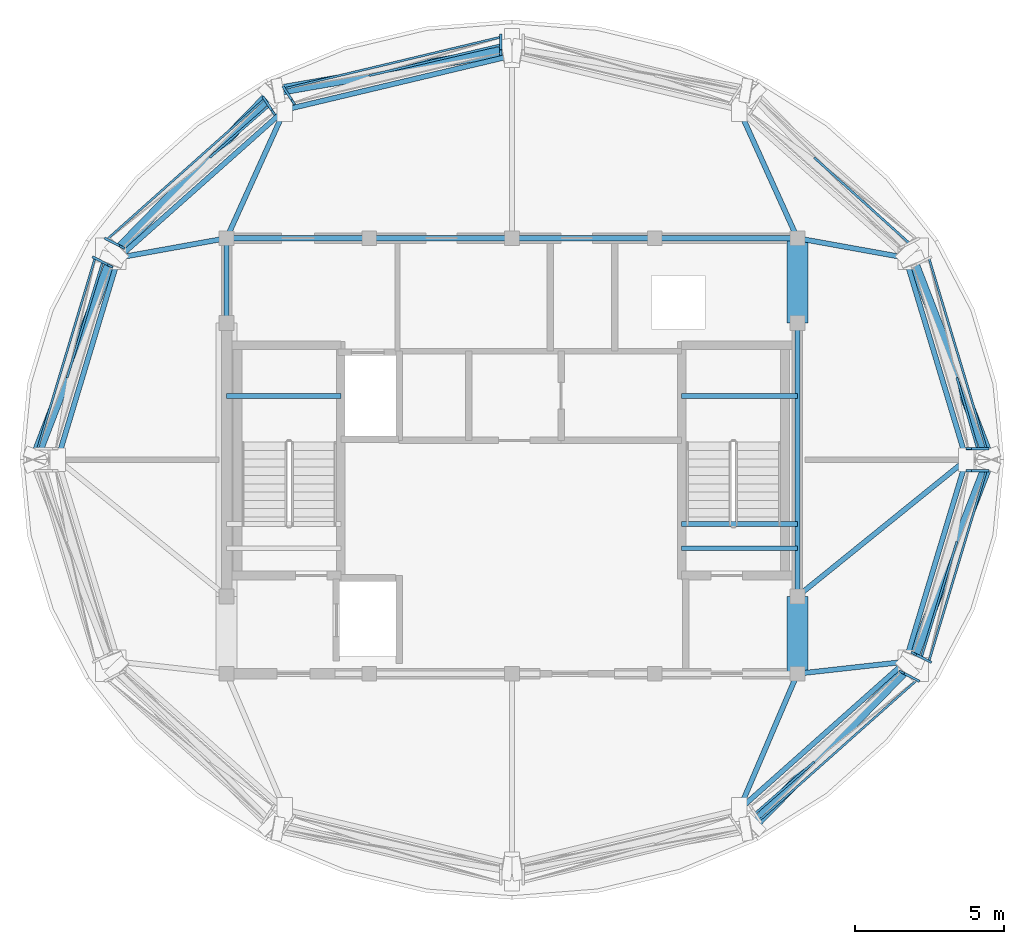
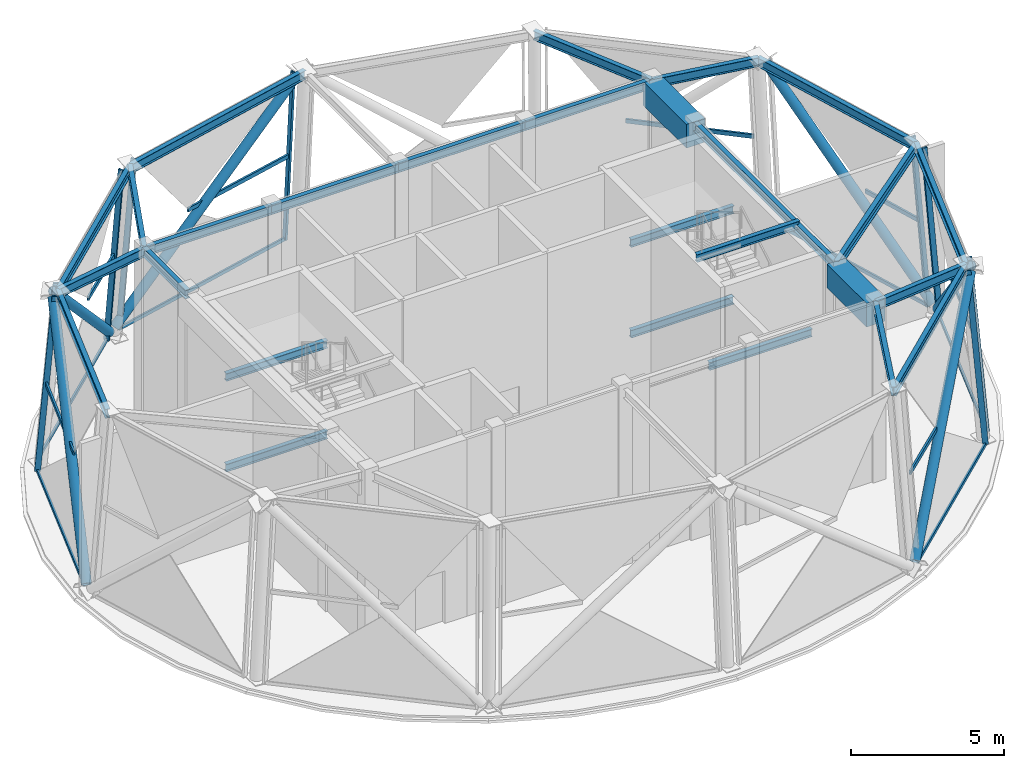
# One storey, part 2 of 9: 28 members, 27 beams, 7 elements without a shape of their own.
"""IFC4 building model written with IfcOpenShell, lengths in metres."""

from ifc_helpers import new_model, si_unit, direction, frame, origin, origin_2d, place, context, subcontext, project, spatial, rectangle, hollow_rectangle, hollow_circle, i_section, extrude, material, layer, layer_set, material_profile, profile_set, type_object, element, aggregate, save


model = new_model("IFC4")

# Units and contexts
model_context = context("Model", 3, precision=1e-05, world=origin(), true_north=direction((0.0, 1.0)))
body_context = subcontext(model_context, "Body", "Model", "MODEL_VIEW")
ifc_project = project(units=[si_unit("LENGTHUNIT", "METRE"), si_unit("AREAUNIT", "SQUARE_METRE"), si_unit("VOLUMEUNIT", "CUBIC_METRE"), si_unit("PLANEANGLEUNIT", "RADIAN"), si_unit("MASSUNIT", "GRAM", prefix="KILO")], contexts=[model_context])

# Site, building, storey
site_placement = place(None, origin())
site = spatial("IfcSite", under=ifc_project, at=site_placement, CompositionType="ELEMENT")
building_placement = place(site_placement, origin())
building = spatial("IfcBuilding", under=site, at=building_placement, Name="Vantalir Tower", CompositionType="ELEMENT")
storey_placement = place(building_placement, frame((0.0, 0.0, 319.0)))
storey = spatial("IfcBuildingStorey", under=building, at=storey_placement, Name="L78", CompositionType="ELEMENT", Elevation=319.0)

# Beams
ifc_material_1 = material(Name="Concrete C60/75", Category="concrete")
ifc_material_profile_1 = material_profile(ifc_material_1, rectangle(XDim=0.699951171875, YDim=0.949951171875, at=origin_2d()), Name="Concrete C60/75")
ifc_profile_set_1 = profile_set([ifc_material_profile_1], Name="Concrete C60/75")
beam_type_1 = type_object("IfcBeamType", Name="BM-CB-700x950", PredefinedType="USERDEFINED", material=ifc_profile_set_1)
beam_1_placement = place(storey_placement, frame((41.10009765625, 17.800048828125, 6.594970703125), z_axis=(0.0, 1.0, 0.0), x_axis=(-1.0, 0.0, 0.0)))
element("IfcBeam", 1, at=beam_1_placement, inside=storey, type_object=beam_type_1, Name="L78 Core Coupling Girder 05", ObjectType="GIRDER", PredefinedType="USERDEFINED", context=body_context, shape_type="SweptSolid", body=[
    extrude(rectangle(XDim=0.699951171875, YDim=0.949951171875, at=origin_2d()), origin(), (0.0, 0.0, 1.0), 2.599853515625),
])
beam_2_placement = place(storey_placement, frame((41.10009765625, 29.60009765625, 6.594970703125), z_axis=(0.0, 1.0, 0.0), x_axis=(-1.0, 0.0, 0.0)))
element("IfcBeam", 2, at=beam_2_placement, inside=storey, type_object=beam_type_1, Name="L78 Core Coupling Girder 07", ObjectType="GIRDER", PredefinedType="USERDEFINED", context=body_context, shape_type="SweptSolid", body=[
    extrude(rectangle(XDim=0.699951171875, YDim=0.949951171875, at=origin_2d()), origin(), (0.0, 0.0, 1.0), 2.849853515625),
])
ifc_material_2 = material(Name="Steel S355", Category="steel")
ifc_material_profile_2 = material_profile(ifc_material_2, i_section(OverallWidth=0.166015625, OverallDepth=0.306884765625, WebThickness=0.006591796875, FlangeThickness=0.01171875, at=origin_2d()), Name="Steel S355")
ifc_profile_set_2 = profile_set([ifc_material_profile_2], Name="Steel S355")
beam_type_2 = type_object("IfcBeamType", Name="BM-JS-305x165", PredefinedType="JOIST", material=ifc_profile_set_2)
for number, where, z_axis, x_axis, name in (
    (3, (21.89990234375, 27.14501953125, 1.458984375), (1.0, 0.0, 0.0), (0.0, 1.0, 0.0), "L78 Stair ST1 Half-Landing Support Beam"),
    (4, (21.89990234375, 27.14501953125, 5.083984375), (1.0, 0.0, 0.0), (0.0, 1.0, 0.0), "L78 Stair ST1 Half-Landing Support Beam"),
):
    element("IfcBeam", number, at=place(storey_placement, frame(where, z_axis=z_axis, x_axis=x_axis)), inside=storey, type_object=beam_type_2, Name=name, PredefinedType="JOIST", context=body_context, shape_type="SweptSolid", body=[
        extrude(i_section(OverallWidth=0.166015625, OverallDepth=0.306884765625, WebThickness=0.006591796875, FlangeThickness=0.01171875, at=origin_2d()), origin(), (0.0, 0.0, 1.0), 3.840087890625),
    ])
for number, where, z_axis, x_axis, name in (
    (5, (37.2099609375, 22.8349609375, 7.095947265625), (1.0, 0.0, 0.0), (0.0, 1.0, 0.0), "L79 Stair ST2 Well Nosing Trimmer Beam"),
    (6, (37.2099609375, 27.14501953125, 1.458984375), (1.0, 0.0, 0.0), (0.0, 1.0, 0.0), "L78 Stair ST2 Half-Landing Support Beam"),
    (7, (37.2099609375, 22.02001953125, 3.27197265625), (1.0, 0.0, 0.0), (0.0, 1.0, 0.0), "L78 Stair ST2 Half-Landing Support Beam"),
    (8, (37.2099609375, 27.14501953125, 5.083984375), (1.0, 0.0, 0.0), (0.0, 1.0, 0.0), "L78 Stair ST2 Half-Landing Support Beam"),
):
    element("IfcBeam", number, at=place(storey_placement, frame(where, z_axis=z_axis, x_axis=x_axis)), inside=storey, type_object=beam_type_2, Name=name, PredefinedType="JOIST", context=body_context, shape_type="SweptSolid", body=[
        extrude(i_section(OverallWidth=0.166015625, OverallDepth=0.306884765625, WebThickness=0.006591796875, FlangeThickness=0.01171875, at=origin_2d()), origin(), (0.0, 0.0, 1.0), 3.89013671875),
    ])
ifc_material_3 = material(Name="Steel S460", Category="steel")
ifc_material_profile_3 = material_profile(ifc_material_3, i_section(OverallWidth=0.172119140625, OverallDepth=0.35791015625, WebThickness=0.008056640625, FlangeThickness=0.012939453125, at=origin_2d()), Name="Steel S460")
ifc_profile_set_3 = profile_set([ifc_material_profile_3], Name="Steel S460")
beam_type_3 = type_object("IfcBeamType", Name="BM-RB-356x171", PredefinedType="BEAM", material=ifc_profile_set_3)
beam_3_placement = place(storey_placement, frame((41.10009765625, 20.39990234375, 6.89111328125), z_axis=(0.0, 1.0, 0.0), x_axis=(-1.0, 0.0, 0.0)))
element("IfcBeam", 9, at=beam_3_placement, inside=storey, type_object=beam_type_3, Name="L78 Core Coupling Girder 06", PredefinedType="BEAM", context=body_context, shape_type="SweptSolid", body=[
    extrude(i_section(OverallWidth=0.172119140625, OverallDepth=0.35791015625, WebThickness=0.008056640625, FlangeThickness=0.012939453125, at=origin_2d()), origin(), (0.0, 0.0, 1.0), 9.2001953125),
])
for number, where, z_axis, x_axis, name in (
    (10, (41.10009765625, 32.449951171875, 6.89111328125), (-1.0, 0.0, 0.0), (0.0, -1.0, 0.0), "L78 Core Coupling Girder 08"),
    (11, (36.300048828125, 32.449951171875, 6.89111328125), (-1.0, 0.0, 0.0), (0.0, -1.0, 0.0), "L78 Core Coupling Girder 09"),
    (12, (31.5, 32.449951171875, 6.89111328125), (-1.0, 0.0, 0.0), (0.0, -1.0, 0.0), "L78 Core Coupling Girder 10"),
    (13, (26.699951171875, 32.449951171875, 6.89111328125), (-1.0, 0.0, 0.0), (0.0, -1.0, 0.0), "L78 Core Coupling Girder 11"),
):
    element("IfcBeam", number, at=place(storey_placement, frame(where, z_axis=z_axis, x_axis=x_axis)), inside=storey, type_object=beam_type_3, Name=name, PredefinedType="BEAM", context=body_context, shape_type="SweptSolid", body=[
        extrude(i_section(OverallWidth=0.172119140625, OverallDepth=0.35791015625, WebThickness=0.008056640625, FlangeThickness=0.012939453125, at=origin_2d()), origin(), (0.0, 0.0, 1.0), 4.800048828125),
    ])
beam_4_placement = place(storey_placement, frame((21.89990234375, 32.449951171875, 6.89111328125), z_axis=(0.0, -1.0, 0.0), x_axis=(1.0, 0.0, 0.0)))
element("IfcBeam", 14, at=beam_4_placement, inside=storey, type_object=beam_type_3, Name="L78 Core Coupling Girder 12", PredefinedType="BEAM", context=body_context, shape_type="SweptSolid", body=[
    extrude(i_section(OverallWidth=0.172119140625, OverallDepth=0.35791015625, WebThickness=0.008056640625, FlangeThickness=0.012939453125, at=origin_2d()), origin(), (0.0, 0.0, 1.0), 2.849853515625),
])
beam_5_placement = place(storey_placement, frame((46.7880859375, 25.0, 6.89111328125), z_axis=(-0.288591134035, 0.957452430858, 0.0), x_axis=(-0.957452430858, -0.288591134035, 0.0)))
element("IfcBeam", 15, at=beam_5_placement, inside=storey, type_object=beam_type_3, Name="L78 Circumferential Ring Girder 01", PredefinedType="BEAM", context=body_context, shape_type="SweptSolid", body=[
    extrude(i_section(OverallWidth=0.172119140625, OverallDepth=0.35791015625, WebThickness=0.008056640625, FlangeThickness=0.012939453125, at=origin_2d()), origin(), (0.0, 0.0, 1.0), 7.096923828125),
])
beam_6_placement = place(storey_placement, frame((46.7880859375, 25.0, 6.89111328125), z_axis=(-0.777543227504, -0.628829491486, 0.0), x_axis=(0.628829491486, -0.777543227504, 0.0)))
element("IfcBeam", 16, at=beam_6_placement, inside=storey, type_object=beam_type_3, Name="L78 Radial Floor Beam 01", PredefinedType="BEAM", context=body_context, shape_type="SweptSolid", body=[
    extrude(i_section(OverallWidth=0.172119140625, OverallDepth=0.35791015625, WebThickness=0.008056640625, FlangeThickness=0.012939453125, at=origin_2d()), origin(), (0.0, 0.0, 1.0), 7.3154296875),
])
beam_7_placement = place(storey_placement, frame((44.739990234375, 31.794921875, 6.89111328125), z_axis=(-0.984190459044, 0.177113354458, 0.0), x_axis=(-0.177113354458, -0.984190459044, 0.0)))
element("IfcBeam", 17, at=beam_7_placement, inside=storey, type_object=beam_type_3, Name="L78 Radial Floor Beam 02", PredefinedType="BEAM", context=body_context, shape_type="SweptSolid", body=[
    extrude(i_section(OverallWidth=0.172119140625, OverallDepth=0.35791015625, WebThickness=0.008056640625, FlangeThickness=0.012939453125, at=origin_2d()), origin(), (0.0, 0.0, 1.0), 3.6982421875),
])
beam_8_placement = place(storey_placement, frame((39.14404296875, 36.77001953125, 6.89111328125), z_axis=(0.412472086074, -0.910970240024, 0.0), x_axis=(0.910970240024, 0.412472086074, 0.0)))
element("IfcBeam", 18, at=beam_8_placement, inside=storey, type_object=beam_type_3, Name="L78 Radial Floor Beam 03", PredefinedType="BEAM", context=body_context, shape_type="SweptSolid", body=[
    extrude(i_section(OverallWidth=0.172119140625, OverallDepth=0.35791015625, WebThickness=0.008056640625, FlangeThickness=0.012939453125, at=origin_2d()), origin(), (0.0, 0.0, 1.0), 4.7421875),
])
beam_9_placement = place(storey_placement, frame((31.5, 38.591064453125, 6.89111328125), z_axis=(-0.972776537622, -0.231745135552, 0.0), x_axis=(0.231745135552, -0.972776537622, 0.0)))
element("IfcBeam", 19, at=beam_9_placement, inside=storey, type_object=beam_type_3, Name="L78 Circumferential Ring Girder 04", PredefinedType="BEAM", context=body_context, shape_type="SweptSolid", body=[
    extrude(i_section(OverallWidth=0.172119140625, OverallDepth=0.35791015625, WebThickness=0.008056640625, FlangeThickness=0.012939453125, at=origin_2d()), origin(), (0.0, 0.0, 1.0), 7.85791015625),
])
beam_10_placement = place(storey_placement, frame((23.85595703125, 36.77001953125, 6.89111328125), z_axis=(-0.747348152301, -0.664432644631, 0.0), x_axis=(0.664432644631, -0.747348152301, 0.0)))
element("IfcBeam", 20, at=beam_10_placement, inside=storey, type_object=beam_type_3, Name="L78 Circumferential Ring Girder 05", PredefinedType="BEAM", context=body_context, shape_type="SweptSolid", body=[
    extrude(i_section(OverallWidth=0.172119140625, OverallDepth=0.35791015625, WebThickness=0.008056640625, FlangeThickness=0.012939453125, at=origin_2d()), origin(), (0.0, 0.0, 1.0), 7.48779296875),
])
beam_11_placement = place(storey_placement, frame((23.85595703125, 36.77001953125, 6.89111328125), z_axis=(-0.412472086074, -0.910970240024, 0.0), x_axis=(0.910970240024, -0.412472086074, 0.0)))
element("IfcBeam", 21, at=beam_11_placement, inside=storey, type_object=beam_type_3, Name="L78 Radial Floor Beam 05", PredefinedType="BEAM", context=body_context, shape_type="SweptSolid", body=[
    extrude(i_section(OverallWidth=0.172119140625, OverallDepth=0.35791015625, WebThickness=0.008056640625, FlangeThickness=0.012939453125, at=origin_2d()), origin(), (0.0, 0.0, 1.0), 4.7421875),
])
beam_12_placement = place(storey_placement, frame((18.260009765625, 31.794921875, 6.89111328125), z_axis=(-0.288591134035, -0.957452430858, 0.0), x_axis=(0.957452430858, -0.288591134035, 0.0)))
element("IfcBeam", 22, at=beam_12_placement, inside=storey, type_object=beam_type_3, Name="L78 Circumferential Ring Girder 06", PredefinedType="BEAM", context=body_context, shape_type="SweptSolid", body=[
    extrude(i_section(OverallWidth=0.172119140625, OverallDepth=0.35791015625, WebThickness=0.008056640625, FlangeThickness=0.012939453125, at=origin_2d()), origin(), (0.0, 0.0, 1.0), 7.096923828125),
])
beam_13_placement = place(storey_placement, frame((18.260009765625, 31.794921875, 6.89111328125), z_axis=(0.984190459044, 0.177113354458, 0.0), x_axis=(-0.177113354458, 0.984190459044, 0.0)))
element("IfcBeam", 23, at=beam_13_placement, inside=storey, type_object=beam_type_3, Name="L78 Radial Floor Beam 06", PredefinedType="BEAM", context=body_context, shape_type="SweptSolid", body=[
    extrude(i_section(OverallWidth=0.172119140625, OverallDepth=0.35791015625, WebThickness=0.008056640625, FlangeThickness=0.012939453125, at=origin_2d()), origin(), (0.0, 0.0, 1.0), 3.6982421875),
])
beam_14_placement = place(storey_placement, frame((39.14404296875, 13.22998046875, 6.89111328125), z_axis=(0.747412916821, 0.664359790904, 0.0), x_axis=(-0.664359790904, 0.747412916821, 0.0)))
element("IfcBeam", 24, at=beam_14_placement, inside=storey, type_object=beam_type_3, Name="L78 Circumferential Ring Girder 11", PredefinedType="BEAM", context=body_context, shape_type="SweptSolid", body=[
    extrude(i_section(OverallWidth=0.172119140625, OverallDepth=0.35791015625, WebThickness=0.008056640625, FlangeThickness=0.012939453125, at=origin_2d()), origin(), (0.0, 0.0, 1.0), 7.487060546875),
])
beam_15_placement = place(storey_placement, frame((39.14404296875, 13.22998046875, 6.89111328125), z_axis=(0.393486559938, 0.919330368882, 0.0), x_axis=(-0.919330368882, 0.393486559938, 0.0)))
element("IfcBeam", 25, at=beam_15_placement, inside=storey, type_object=beam_type_3, Name="L78 Radial Floor Beam 11", PredefinedType="BEAM", context=body_context, shape_type="SweptSolid", body=[
    extrude(i_section(OverallWidth=0.172119140625, OverallDepth=0.35791015625, WebThickness=0.008056640625, FlangeThickness=0.012939453125, at=origin_2d()), origin(), (0.0, 0.0, 1.0), 4.97119140625),
])
beam_16_placement = place(storey_placement, frame((44.739990234375, 18.2041015625, 6.89111328125), z_axis=(0.28855311699, 0.957463888967, 0.0), x_axis=(-0.957463888967, 0.28855311699, 0.0)))
element("IfcBeam", 26, at=beam_16_placement, inside=storey, type_object=beam_type_3, Name="L78 Circumferential Ring Girder 12", PredefinedType="BEAM", context=body_context, shape_type="SweptSolid", body=[
    extrude(i_section(OverallWidth=0.172119140625, OverallDepth=0.35791015625, WebThickness=0.008056640625, FlangeThickness=0.012939453125, at=origin_2d()), origin(), (0.0, 0.0, 1.0), 7.097900390625),
])
beam_17_placement = place(storey_placement, frame((44.739990234375, 18.2041015625, 6.89111328125), z_axis=(-0.993895111071, -0.110329090403, 0.0), x_axis=(0.110329090403, -0.993895111071, 0.0)))
element("IfcBeam", 27, at=beam_17_placement, inside=storey, type_object=beam_type_3, Name="L78 Radial Floor Beam 12", PredefinedType="BEAM", context=body_context, shape_type="SweptSolid", body=[
    extrude(i_section(OverallWidth=0.172119140625, OverallDepth=0.35791015625, WebThickness=0.008056640625, FlangeThickness=0.012939453125, at=origin_2d()), origin(), (0.0, 0.0, 1.0), 3.662353515625),
])

# Curtain wall, member
ifc_material_4 = material(Name="Champagne-silver PVDF aluminium and double-silver Low-E glass", Category="aluminium")
ifc_layer = layer(ifc_material_4, 0.25)
ifc_layer_set = layer_set([ifc_layer], Name="Champagne-silver PVDF aluminium and double-silver Low-E glass")
curtain_wall_type = type_object("IfcCurtainWallType", Name="CW-CROWN-PT", PredefinedType="USERDEFINED", material=ifc_layer_set)
curtain_wall_1_placement = place(storey_placement, origin())
curtain_wall_1 = element("IfcCurtainWall", 28, at=curtain_wall_1_placement, inside=storey, type_object=curtain_wall_type, Name="L78 Quilted Pyramid-Diamond Curtain Wall S01", ObjectType="UNITISED CURTAIN WALL", PredefinedType="USERDEFINED")
ifc_material_5 = material(Name="Champagne-silver PVDF aluminium 6063-T6", Category="aluminium")
ifc_material_profile_4 = material_profile(ifc_material_5, hollow_rectangle(XDim=0.080078125, YDim=0.199951171875, WallThickness=0.0048828125, at=origin_2d()), Name="Champagne-silver PVDF aluminium 6063-T6")
ifc_profile_set_4 = profile_set([ifc_material_profile_4], Name="Champagne-silver PVDF aluminium 6063-T6")
member_type_1 = type_object("IfcMemberType", Name="CWM-200x80", PredefinedType="MULLION", material=ifc_profile_set_4)
member_1_placement = place(storey_placement, frame((47.4541015625, 25.373046875, 0.044921875), z_axis=(-0.083962699398, 0.0, 0.996468898215), x_axis=(0.0, -1.0, 0.0)))
member_1 = element("IfcMember", 29, at=member_1_placement, type_object=member_type_1, Name="CW-L78-S01 Mullion 1", PredefinedType="MULLION", context=body_context, shape_type="SweptSolid", body=[
    extrude(hollow_rectangle(XDim=0.080078125, YDim=0.199951171875, WallThickness=0.0048828125, at=origin_2d()), origin(), (0.0, 0.0, 1.0), 7.004638671875),
])

# Curtain wall, members
curtain_wall_2_placement = place(storey_placement, origin())
curtain_wall_2 = element("IfcCurtainWall", 30, at=curtain_wall_2_placement, inside=storey, type_object=curtain_wall_type, Name="L78 Quilted Pyramid-Diamond Curtain Wall S04", ObjectType="UNITISED CURTAIN WALL", PredefinedType="USERDEFINED")
member_2_placement = place(storey_placement, frame((31.12109375, 39.215087890625, 0.044921875), z_axis=(0.0, -0.07488532878, 0.997192151761), x_axis=(1.0, 0.0, 0.0)))
member_2 = element("IfcMember", 31, at=member_2_placement, type_object=member_type_1, Name="CW-L78-S04 Mullion 1", PredefinedType="MULLION", context=body_context, shape_type="SweptSolid", body=[
    extrude(hollow_rectangle(XDim=0.080078125, YDim=0.199951171875, WallThickness=0.0048828125, at=origin_2d()), origin(), (0.0, 0.0, 1.0), 6.999755859375),
])
member_3_placement = place(storey_placement, frame((23.845947265625, 37.47998046875, 0.044921875), z_axis=(0.041986349537, -0.065002122538, 0.997001439577), x_axis=(0.840005146283, 0.542578431398, 0.0)))
member_3 = element("IfcMember", 32, at=member_3_placement, type_object=member_type_1, Name="CW-L78-S04 Mullion 2", PredefinedType="MULLION", context=body_context, shape_type="SweptSolid", body=[
    extrude(hollow_rectangle(XDim=0.080078125, YDim=0.199951171875, WallThickness=0.0048828125, at=origin_2d()), origin(), (0.0, 0.0, 1.0), 7.0009765625),
])

curtain_wall_3_placement = place(storey_placement, origin())
curtain_wall_3 = element("IfcCurtainWall", 33, at=curtain_wall_3_placement, inside=storey, type_object=curtain_wall_type, Name="L78 Quilted Pyramid-Diamond Curtain Wall S05", ObjectType="UNITISED CURTAIN WALL", PredefinedType="USERDEFINED")
member_4_placement = place(storey_placement, frame((23.176025390625, 37.1298828125, 0.044921875), z_axis=(0.041986824775, -0.0648284944, 0.997012724522), x_axis=(0.839339926536, 0.54360692391, 0.0)))
member_4 = element("IfcMember", 34, at=member_4_placement, type_object=member_type_1, Name="CW-L78-S05 Mullion 1", PredefinedType="MULLION", context=body_context, shape_type="SweptSolid", body=[
    extrude(hollow_rectangle(XDim=0.080078125, YDim=0.199951171875, WallThickness=0.0048828125, at=origin_2d()), origin(), (0.0, 0.0, 1.0), 7.0009765625),
])
member_5_placement = place(storey_placement, frame((17.876953125, 32.412109375, 0.044921875), z_axis=(0.07282176265, -0.037578678859, 0.996636761202), x_axis=(0.458577903069, 0.88865421105, 0.0)))
member_5 = element("IfcMember", 35, at=member_5_placement, type_object=member_type_1, Name="CW-L78-S05 Mullion 2", PredefinedType="MULLION", context=body_context, shape_type="SweptSolid", body=[
    extrude(hollow_rectangle(XDim=0.080078125, YDim=0.199951171875, WallThickness=0.0048828125, at=origin_2d()), origin(), (0.0, 0.0, 1.0), 7.00341796875),
])

# Curtain wall, member
curtain_wall_4_placement = place(storey_placement, origin())
curtain_wall_4 = element("IfcCurtainWall", 36, at=curtain_wall_4_placement, inside=storey, type_object=curtain_wall_type, Name="L78 Quilted Pyramid-Diamond Curtain Wall S06", ObjectType="UNITISED CURTAIN WALL", PredefinedType="USERDEFINED")
member_6_placement = place(storey_placement, frame((17.47412109375, 31.780029296875, 0.044921875), z_axis=(0.072787183057, -0.037543963674, 0.996640595588), x_axis=(0.458415220074, 0.888738142539, 0.0)))
member_6 = element("IfcMember", 37, at=member_6_placement, type_object=member_type_1, Name="CW-L78-S06 Mullion 1", PredefinedType="MULLION", context=body_context, shape_type="SweptSolid", body=[
    extrude(hollow_rectangle(XDim=0.080078125, YDim=0.199951171875, WallThickness=0.0048828125, at=origin_2d()), origin(), (0.0, 0.0, 1.0), 7.00341796875),
])

curtain_wall_5_placement = place(storey_placement, origin())
curtain_wall_5 = element("IfcCurtainWall", 38, at=curtain_wall_5_placement, inside=storey, type_object=curtain_wall_type, Name="L78 Quilted Pyramid-Diamond Curtain Wall S11", ObjectType="UNITISED CURTAIN WALL", PredefinedType="USERDEFINED")
member_7_placement = place(storey_placement, frame((45.123046875, 17.587890625, 0.044921875), z_axis=(-0.072822143524, 0.037439436163, 0.996641973846), x_axis=(-0.457232575562, -0.889347160475, 0.0)))
member_7 = element("IfcMember", 39, at=member_7_placement, type_object=member_type_1, Name="CW-L78-S11 Mullion 2", PredefinedType="MULLION", context=body_context, shape_type="SweptSolid", body=[
    extrude(hollow_rectangle(XDim=0.080078125, YDim=0.199951171875, WallThickness=0.0048828125, at=origin_2d()), origin(), (0.0, 0.0, 1.0), 7.00341796875),
])

# Curtain wall, members
curtain_wall_6_placement = place(storey_placement, origin())
curtain_wall_6 = element("IfcCurtainWall", 40, at=curtain_wall_6_placement, inside=storey, type_object=curtain_wall_type, Name="L78 Quilted Pyramid-Diamond Curtain Wall S12", ObjectType="UNITISED CURTAIN WALL", PredefinedType="USERDEFINED")
member_8_placement = place(storey_placement, frame((45.52587890625, 18.219970703125, 0.044921875), z_axis=(-0.0727875634, 0.03740472008, 0.996645803448), x_axis=(-0.457068866502, -0.889431307788, 0.0)))
member_8 = element("IfcMember", 41, at=member_8_placement, type_object=member_type_1, Name="CW-L78-S12 Mullion 1", PredefinedType="MULLION", context=body_context, shape_type="SweptSolid", body=[
    extrude(hollow_rectangle(XDim=0.080078125, YDim=0.199951171875, WallThickness=0.0048828125, at=origin_2d()), origin(), (0.0, 0.0, 1.0), 7.00341796875),
])
member_9_placement = place(storey_placement, frame((47.4541015625, 24.626953125, 0.044921875), z_axis=(-0.083962699398, 0.0, 0.996468898215), x_axis=(0.0, -1.0, 0.0)))
member_9 = element("IfcMember", 42, at=member_9_placement, type_object=member_type_1, Name="CW-L78-S12 Mullion 2", PredefinedType="MULLION", context=body_context, shape_type="SweptSolid", body=[
    extrude(hollow_rectangle(XDim=0.080078125, YDim=0.199951171875, WallThickness=0.0048828125, at=origin_2d()), origin(), (0.0, 0.0, 1.0), 7.004638671875),
])

# Member
ifc_material_profile_5 = material_profile(ifc_material_5, hollow_rectangle(XDim=0.070068359375, YDim=0.139892578125, WallThickness=0.00390625, at=origin_2d()), Name="Champagne-silver PVDF aluminium 6063-T6")
ifc_profile_set_5 = profile_set([ifc_material_profile_5], Name="Champagne-silver PVDF aluminium 6063-T6")
member_type_2 = type_object("IfcMemberType", Name="CWT-140x70", PredefinedType="USERDEFINED", material=ifc_profile_set_5)
member_10_placement = place(storey_placement, frame((47.4541015625, 25.373046875, 0.054931640625), z_axis=(-0.288188020158, 0.957573843125, 0.0), x_axis=(-0.957573843125, -0.288188020158, 0.0)))
member_10 = element("IfcMember", 43, at=member_10_placement, type_object=member_type_2, Name="CW-L78-S01 Sill Transom", ObjectType="TRANSOM", PredefinedType="USERDEFINED", context=body_context, shape_type="SweptSolid", body=[
    extrude(hollow_rectangle(XDim=0.070068359375, YDim=0.139892578125, WallThickness=0.00390625, at=origin_2d()), origin(), (0.0, 0.0, 1.0), 6.69091796875),
])

member_11_placement = place(storey_placement, frame((31.12109375, 39.215087890625, 0.054931640625), z_axis=(-0.972717882854, -0.231991207539, 0.0), x_axis=(0.231991207539, -0.972717882854, 0.0)))
member_11 = element("IfcMember", 44, at=member_11_placement, type_object=member_type_2, Name="CW-L78-S04 Sill Transom", ObjectType="TRANSOM", PredefinedType="USERDEFINED", context=body_context, shape_type="SweptSolid", body=[
    extrude(hollow_rectangle(XDim=0.070068359375, YDim=0.139892578125, WallThickness=0.00390625, at=origin_2d()), origin(), (0.0, 0.0, 1.0), 7.479248046875),
])

member_12_placement = place(storey_placement, frame((23.176025390625, 37.1298828125, 0.054931640625), z_axis=(-0.746885093717, -0.664953123749, 0.0), x_axis=(0.664953123749, -0.746885093717, 0.0)))
member_12 = element("IfcMember", 45, at=member_12_placement, type_object=member_type_2, Name="CW-L78-S05 Sill Transom", ObjectType="TRANSOM", PredefinedType="USERDEFINED", context=body_context, shape_type="SweptSolid", body=[
    extrude(hollow_rectangle(XDim=0.070068359375, YDim=0.139892578125, WallThickness=0.00390625, at=origin_2d()), origin(), (0.0, 0.0, 1.0), 7.094970703125),
])

member_13_placement = place(storey_placement, frame((17.47412109375, 31.780029296875, 0.054931640625), z_axis=(-0.288188020158, -0.957573843125, 0.0), x_axis=(0.957573843125, -0.288188020158, 0.0)))
member_13 = element("IfcMember", 46, at=member_13_placement, type_object=member_type_2, Name="CW-L78-S06 Sill Transom", ObjectType="TRANSOM", PredefinedType="USERDEFINED", context=body_context, shape_type="SweptSolid", body=[
    extrude(hollow_rectangle(XDim=0.070068359375, YDim=0.139892578125, WallThickness=0.00390625, at=origin_2d()), origin(), (0.0, 0.0, 1.0), 6.69091796875),
])

member_14_placement = place(storey_placement, frame((39.823974609375, 12.8701171875, 0.054931640625), z_axis=(0.746885093717, 0.664953123749, 0.0), x_axis=(-0.664953123749, 0.746885093717, 0.0)))
member_14 = element("IfcMember", 47, at=member_14_placement, type_object=member_type_2, Name="CW-L78-S11 Sill Transom", ObjectType="TRANSOM", PredefinedType="USERDEFINED", context=body_context, shape_type="SweptSolid", body=[
    extrude(hollow_rectangle(XDim=0.070068359375, YDim=0.139892578125, WallThickness=0.00390625, at=origin_2d()), origin(), (0.0, 0.0, 1.0), 7.094970703125),
])

member_15_placement = place(storey_placement, frame((45.52587890625, 18.219970703125, 0.054931640625), z_axis=(0.288188020158, 0.957573843125, 0.0), x_axis=(-0.957573843125, 0.288188020158, 0.0)))
member_15 = element("IfcMember", 48, at=member_15_placement, type_object=member_type_2, Name="CW-L78-S12 Sill Transom", ObjectType="TRANSOM", PredefinedType="USERDEFINED", context=body_context, shape_type="SweptSolid", body=[
    extrude(hollow_rectangle(XDim=0.070068359375, YDim=0.139892578125, WallThickness=0.00390625, at=origin_2d()), origin(), (0.0, 0.0, 1.0), 6.69091796875),
])

ifc_material_profile_6 = material_profile(ifc_material_5, hollow_rectangle(XDim=0.074951171875, YDim=0.159912109375, WallThickness=0.00390625, at=origin_2d()), Name="Champagne-silver PVDF aluminium 6063-T6")
ifc_profile_set_6 = profile_set([ifc_material_profile_6], Name="Champagne-silver PVDF aluminium 6063-T6")
member_type_3 = type_object("IfcMemberType", Name="CWT-160x75", PredefinedType="USERDEFINED", material=ifc_profile_set_6)
member_16_placement = place(storey_placement, frame((47.159912109375, 25.373046875, 3.534912109375), z_axis=(-0.27891822413, 0.96031485683, 0.0), x_axis=(-0.96031485683, -0.27891822413, 0.0)))
member_16 = element("IfcMember", 49, at=member_16_placement, type_object=member_type_3, Name="CW-L78-S01 Pyramid Fold Ridge Transom", ObjectType="TRANSOM", PredefinedType="USERDEFINED", context=body_context, shape_type="SweptSolid", body=[
    extrude(hollow_rectangle(XDim=0.074951171875, YDim=0.159912109375, WallThickness=0.00390625, at=origin_2d()), origin(), (0.0, 0.0, 1.0), 2.487548828125),
])

aggregate(curtain_wall_1, [member_1, member_10, member_16])

# Curtain wall, member
curtain_wall_7_placement = place(storey_placement, origin())
curtain_wall_7 = element("IfcCurtainWall", 50, at=curtain_wall_7_placement, inside=storey, type_object=curtain_wall_type, Name="L78 Quilted Pyramid-Diamond Curtain Wall S02", ObjectType="UNITISED CURTAIN WALL", PredefinedType="USERDEFINED")
member_17_placement = place(storey_placement, frame((44.867919921875, 32.281005859375, 3.534912109375), z_axis=(-0.743150389962, 0.669124426321, 0.0), x_axis=(-0.669124426321, -0.743150389962, 0.0)))
member_17 = element("IfcMember", 51, at=member_17_placement, type_object=member_type_3, Name="CW-L78-S02 Pyramid Fold Ridge Transom", ObjectType="TRANSOM", PredefinedType="USERDEFINED", context=body_context, shape_type="SweptSolid", body=[
    extrude(hollow_rectangle(XDim=0.074951171875, YDim=0.159912109375, WallThickness=0.00390625, at=origin_2d()), origin(), (0.0, 0.0, 1.0), 4.30712890625),
])
aggregate(curtain_wall_7, [member_17])

# Member
member_18_placement = place(storey_placement, frame((31.12109375, 38.952880859375, 3.534912109375), z_axis=(-0.973900192534, -0.226976683787, 0.0), x_axis=(0.226976683787, -0.973900192534, 0.0)))
member_18 = element("IfcMember", 52, at=member_18_placement, type_object=member_type_3, Name="CW-L78-S04 Pyramid Fold Ridge Transom", ObjectType="TRANSOM", PredefinedType="USERDEFINED", context=body_context, shape_type="SweptSolid", body=[
    extrude(hollow_rectangle(XDim=0.074951171875, YDim=0.159912109375, WallThickness=0.00390625, at=origin_2d()), origin(), (0.0, 0.0, 1.0), 4.546630859375),
])

aggregate(curtain_wall_2, [member_2, member_3, member_11, member_18])

member_19_placement = place(storey_placement, frame((23.322998046875, 36.903076171875, 3.534912109375), z_axis=(-0.752811220294, -0.658236482276, 0.0), x_axis=(0.658236482276, -0.752811220294, 0.0)))
member_19 = element("IfcMember", 53, at=member_19_placement, type_object=member_type_3, Name="CW-L78-S05 Pyramid Fold Ridge Transom", ObjectType="TRANSOM", PredefinedType="USERDEFINED", context=body_context, shape_type="SweptSolid", body=[
    extrude(hollow_rectangle(XDim=0.074951171875, YDim=0.159912109375, WallThickness=0.00390625, at=origin_2d()), origin(), (0.0, 0.0, 1.0), 2.643310546875),
])

aggregate(curtain_wall_3, [member_4, member_5, member_12, member_19])

member_20_placement = place(storey_placement, frame((17.72900390625, 31.64794921875, 3.534912109375), z_axis=(-0.293946593762, -0.955821845333, 0.0), x_axis=(0.955821845333, -0.293946593762, 0.0)))
member_20 = element("IfcMember", 54, at=member_20_placement, type_object=member_type_3, Name="CW-L78-S06 Pyramid Fold Ridge Transom", ObjectType="TRANSOM", PredefinedType="USERDEFINED", context=body_context, shape_type="SweptSolid", body=[
    extrude(hollow_rectangle(XDim=0.074951171875, YDim=0.159912109375, WallThickness=0.00390625, at=origin_2d()), origin(), (0.0, 0.0, 1.0), 4.065673828125),
])

aggregate(curtain_wall_4, [member_6, member_13, member_20])

member_21_placement = place(storey_placement, frame((39.677001953125, 13.096923828125, 3.534912109375), z_axis=(0.752994299798, 0.658027039316, 0.0), x_axis=(-0.658027039316, 0.752994299798, 0.0)))
member_21 = element("IfcMember", 55, at=member_21_placement, type_object=member_type_3, Name="CW-L78-S11 Pyramid Fold Ridge Transom", ObjectType="TRANSOM", PredefinedType="USERDEFINED", context=body_context, shape_type="SweptSolid", body=[
    extrude(hollow_rectangle(XDim=0.074951171875, YDim=0.159912109375, WallThickness=0.00390625, at=origin_2d()), origin(), (0.0, 0.0, 1.0), 2.642822265625),
])

aggregate(curtain_wall_5, [member_7, member_14, member_21])

member_22_placement = place(storey_placement, frame((45.27099609375, 18.35107421875, 3.534912109375), z_axis=(0.293879121367, 0.955842592703, 0.0), x_axis=(-0.955842592703, 0.293879121367, 0.0)))
member_22 = element("IfcMember", 56, at=member_22_placement, type_object=member_type_3, Name="CW-L78-S12 Pyramid Fold Ridge Transom", ObjectType="TRANSOM", PredefinedType="USERDEFINED", context=body_context, shape_type="SweptSolid", body=[
    extrude(hollow_rectangle(XDim=0.074951171875, YDim=0.159912109375, WallThickness=0.00390625, at=origin_2d()), origin(), (0.0, 0.0, 1.0), 4.066650390625),
])

aggregate(curtain_wall_6, [member_8, member_9, member_15, member_22])

# Members
ifc_material_profile_7 = material_profile(ifc_material_3, hollow_circle(Radius=0.177490234375, WallThickness=0.02001953125, at=origin_2d()), Name="Steel S460")
ifc_profile_set_7 = profile_set([ifc_material_profile_7], Name="Steel S460")
member_type_4 = type_object("IfcMemberType", Name="MEM-DB-355x20", PredefinedType="BRACE", material=ifc_profile_set_7)
member_23_placement = place(storey_placement, frame((47.508056640625, 25.14990234375, 0.22998046875), z_axis=(-0.263167197775, 0.68114605135, 0.683215253596), x_axis=(-0.932799454558, -0.360395862319, 0.0)))
element("IfcMember", 57, at=member_23_placement, inside=storey, type_object=member_type_4, Name="L78 CROWN FRAME Diagrid Brace R01L", PredefinedType="BRACE", context=body_context, shape_type="SweptSolid", body=[
    extrude(hollow_circle(Radius=0.177490234375, WallThickness=0.02001953125, at=origin_2d()), origin(), (0.0, 0.0, 1.0), 9.675048828125),
])
member_24_placement = place(storey_placement, frame((47.508056640625, 24.85009765625, 0.22998046875), z_axis=(-0.263149104863, -0.681200151882, 0.683168282113), x_axis=(0.932817404899, -0.360349398663, 0.0)))
element("IfcMember", 58, at=member_24_placement, inside=storey, type_object=member_type_4, Name="L78 CROWN FRAME Diagrid Brace R01R", PredefinedType="BRACE", context=body_context, shape_type="SweptSolid", body=[
    extrude(hollow_circle(Radius=0.177490234375, WallThickness=0.02001953125, at=origin_2d()), origin(), (0.0, 0.0, 1.0), 9.67578125),
])
member_25_placement = place(storey_placement, frame((23.35302734375, 37.27197265625, 0.22705078125), z_axis=(-0.519683977372, -0.531993970001, 0.668514008488), x_axis=(0.715334532748, -0.698782159373, 0.0)))
element("IfcMember", 59, at=member_25_placement, inside=storey, type_object=member_type_4, Name="L78 CROWN FRAME Diagrid Brace R13L", PredefinedType="BRACE", context=body_context, shape_type="SweptSolid", body=[
    extrude(hollow_circle(Radius=0.177490234375, WallThickness=0.02001953125, at=origin_2d()), origin(), (0.0, 0.0, 1.0), 9.896484375),
])
member_26_placement = place(storey_placement, frame((23.632080078125, 37.41796875, 0.221923828125), z_axis=(0.751661730699, 0.130172726587, 0.646575365952), x_axis=(-0.170639977932, 0.985333445049, 0.0)))
element("IfcMember", 60, at=member_26_placement, inside=storey, type_object=member_type_4, Name="L78 CROWN FRAME Diagrid Brace R13R", PredefinedType="BRACE", context=body_context, shape_type="SweptSolid", body=[
    extrude(hollow_circle(Radius=0.177490234375, WallThickness=0.02001953125, at=origin_2d()), origin(), (0.0, 0.0, 1.0), 10.247802734375),
])
member_27_placement = place(storey_placement, frame((15.491943359375, 25.14990234375, 0.22998046875), z_axis=(0.263167197775, 0.68114605135, 0.683215253596), x_axis=(-0.932799454558, 0.360395862319, 0.0)))
element("IfcMember", 61, at=member_27_placement, inside=storey, type_object=member_type_4, Name="L78 CROWN FRAME Diagrid Brace R19R", PredefinedType="BRACE", context=body_context, shape_type="SweptSolid", body=[
    extrude(hollow_circle(Radius=0.177490234375, WallThickness=0.02001953125, at=origin_2d()), origin(), (0.0, 0.0, 1.0), 9.675048828125),
])
member_28_placement = place(storey_placement, frame((39.64697265625, 12.72802734375, 0.22705078125), z_axis=(0.519711258178, 0.531923214544, 0.668549102125), x_axis=(-0.715269734216, 0.698848486665, 0.0)))
element("IfcMember", 62, at=member_28_placement, inside=storey, type_object=member_type_4, Name="L78 CROWN FRAME Diagrid Brace R31L", PredefinedType="BRACE", context=body_context, shape_type="SweptSolid", body=[
    extrude(hollow_circle(Radius=0.177490234375, WallThickness=0.02001953125, at=origin_2d()), origin(), (0.0, 0.0, 1.0), 9.89599609375),
])

save(model, "model.ifc")
